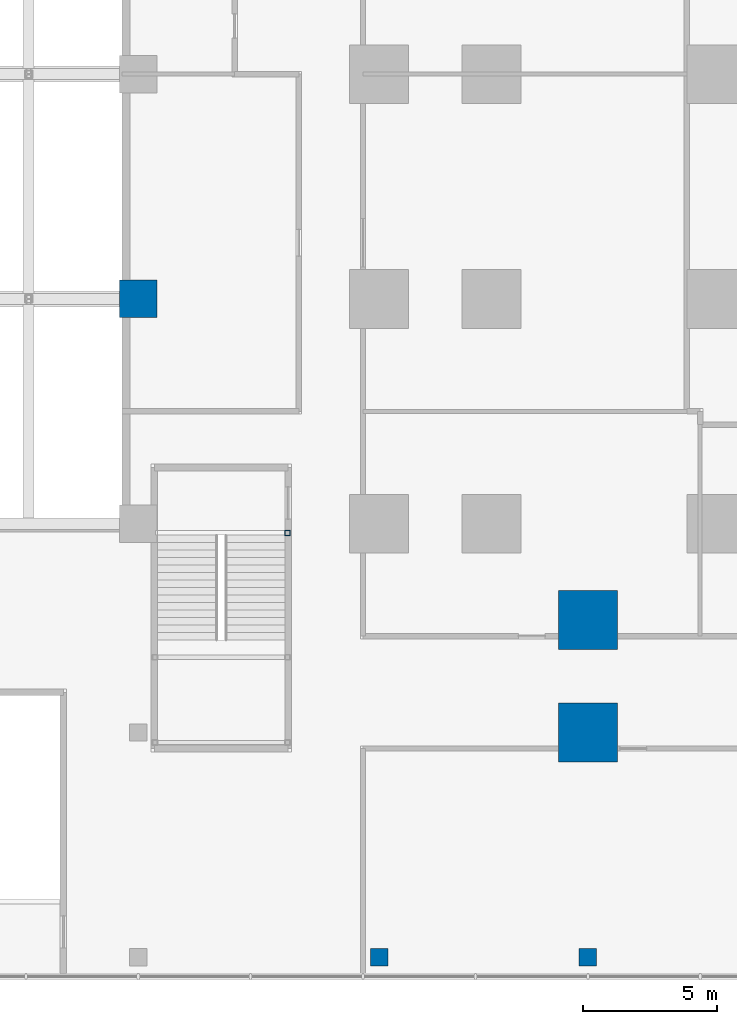
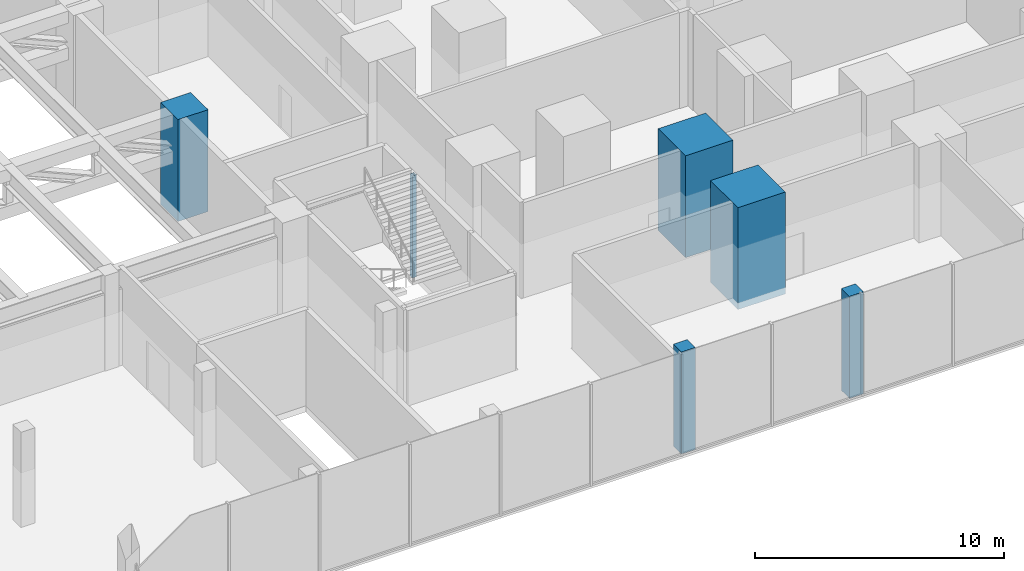
# One storey, part 4 of 33: 6 columns.
"""IFC4 building model written with IfcOpenShell, lengths in metres."""

from ifc_helpers import new_model, si_unit, direction, frame, origin, origin_2d, place, context, subcontext, project, spatial, rectangle, hollow_rectangle, extrude, material, material_profile, profile_set, type_object, element, save


model = new_model("IFC4")

# Units and contexts
model_context = context("Model", 3, precision=1e-05, world=origin(), true_north=direction((0.0, 1.0)))
body_context = subcontext(model_context, "Body", "Model", "MODEL_VIEW")
ifc_project = project(units=[si_unit("LENGTHUNIT", "METRE"), si_unit("AREAUNIT", "SQUARE_METRE"), si_unit("VOLUMEUNIT", "CUBIC_METRE"), si_unit("PLANEANGLEUNIT", "RADIAN"), si_unit("MASSUNIT", "GRAM", prefix="KILO")], contexts=[model_context])

# Site, building, storey
site_placement = place(None, origin())
site = spatial("IfcSite", under=ifc_project, at=site_placement, CompositionType="ELEMENT")
building_placement = place(site_placement, origin())
building = spatial("IfcBuilding", under=site, at=building_placement, Name="Dunama Terrace Hotel", CompositionType="ELEMENT")
storey_placement = place(building_placement, frame((0.0, 0.0, 12.0)))
storey = spatial("IfcBuildingStorey", under=building, at=storey_placement, Name="L02", CompositionType="ELEMENT", Elevation=12.0)

# Columns
ifc_material_1 = material(Name="Concrete C50/60", Category="concrete")
ifc_material_profile_1 = material_profile(ifc_material_1, rectangle(XDim=1.39990234375, YDim=1.39990234375, at=origin_2d()), Name="RC 1400x1400")
ifc_profile_set_1 = profile_set([ifc_material_profile_1], Name="Concrete C50/60")
column_type_1 = type_object("IfcColumnType", Name="Column RC 1400x1400", PredefinedType="COLUMN", material=ifc_profile_set_1)
column_1_placement = place(storey_placement, frame((-8.39990234375, 16.800048828125, -0.300048828125), z_axis=(0.0, 0.0, 1.0), x_axis=(1.0, 0.0, 0.0)))
element("IfcColumn", 1, at=column_1_placement, inside=storey, type_object=column_type_1, Name="Column L02 -8.4/+16.8", PredefinedType="COLUMN", context=body_context, shape_type="SweptSolid", body=[
    extrude(rectangle(XDim=1.39990234375, YDim=1.39990234375, at=origin_2d()), origin(), (0.0, 0.0, 1.0), 5.0),
])
ifc_material_2 = material(Name="Concrete C60/75", Category="concrete")
ifc_material_profile_2 = material_profile(ifc_material_2, rectangle(XDim=2.199951171875, YDim=2.199951171875, at=origin_2d()), Name="RC 2200x2200")
ifc_profile_set_2 = profile_set([ifc_material_profile_2], Name="Concrete C60/75")
column_type_2 = type_object("IfcColumnType", Name="Column RC 2200x2200", PredefinedType="COLUMN", material=ifc_profile_set_2)
for number, where, z_axis, x_axis, name in (
    (2, (8.39990234375, 0.60009765625, -0.300048828125), (0.0, 0.0, 1.0), (1.0, 0.0, 0.0), "Column L02 +8.4/+0.6"),
    (3, (8.39990234375, 4.800048828125, -0.300048828125), (0.0, 0.0, 1.0), (1.0, 0.0, 0.0), "Column L02 +8.4/+4.8"),
):
    element("IfcColumn", number, at=place(storey_placement, frame(where, z_axis=z_axis, x_axis=x_axis)), inside=storey, type_object=column_type_2, Name=name, PredefinedType="COLUMN", context=body_context, shape_type="SweptSolid", body=[
        extrude(rectangle(XDim=2.199951171875, YDim=2.199951171875, at=origin_2d()), origin(), (0.0, 0.0, 1.0), 5.0),
    ])
ifc_material_3 = material(Name="Concrete C40/50", Category="concrete")
ifc_material_profile_3 = material_profile(ifc_material_3, rectangle(XDim=0.64990234375, YDim=0.64990234375, at=origin_2d()), Name="RC 650x650")
ifc_profile_set_3 = profile_set([ifc_material_profile_3], Name="Concrete C40/50")
column_type_3 = type_object("IfcColumnType", Name="Column RC 650x650", PredefinedType="COLUMN", material=ifc_profile_set_3)
for number, where, z_axis, x_axis, name in (
    (4, (0.60009765625, -7.800048828125, -0.300048828125), (0.0, 0.0, 1.0), (1.0, 0.0, 0.0), "Column L02 +0.6/-7.8"),
    (5, (8.39990234375, -7.800048828125, -0.300048828125), (0.0, 0.0, 1.0), (1.0, 0.0, 0.0), "Column L02 +8.4/-7.8"),
):
    element("IfcColumn", number, at=place(storey_placement, frame(where, z_axis=z_axis, x_axis=x_axis)), inside=storey, type_object=column_type_3, Name=name, PredefinedType="COLUMN", context=body_context, shape_type="SweptSolid", body=[
        extrude(rectangle(XDim=0.64990234375, YDim=0.64990234375, at=origin_2d()), origin(), (0.0, 0.0, 1.0), 5.0),
    ])
ifc_material_4 = material(Name="Steel S355", Category="steel")
ifc_material_profile_4 = material_profile(ifc_material_4, hollow_rectangle(XDim=0.199951171875, YDim=0.199951171875, WallThickness=0.010009765625, at=origin_2d()), Name="SHS 200x200x10")
ifc_profile_set_4 = profile_set([ifc_material_profile_4], Name="Steel S355")
column_type_4 = type_object("IfcColumnType", Name="Stair post SHS 200x200x10", PredefinedType="COLUMN", material=ifc_profile_set_4)
column_2_placement = place(storey_placement, frame((-2.824951171875, 8.0576171875, -0.300048828125), z_axis=(0.0, 0.0, 1.0), x_axis=(1.0, 0.0, 0.0)))
element("IfcColumn", 6, at=column_2_placement, inside=storey, type_object=column_type_4, Name="Stair post P4 L02 -2.83/+8.06", PredefinedType="COLUMN", context=body_context, shape_type="SweptSolid", body=[
    extrude(hollow_rectangle(XDim=0.199951171875, YDim=0.199951171875, WallThickness=0.010009765625, at=origin_2d()), origin(), (0.0, 0.0, 1.0), 5.0),
])

save(model, "model.ifc")
